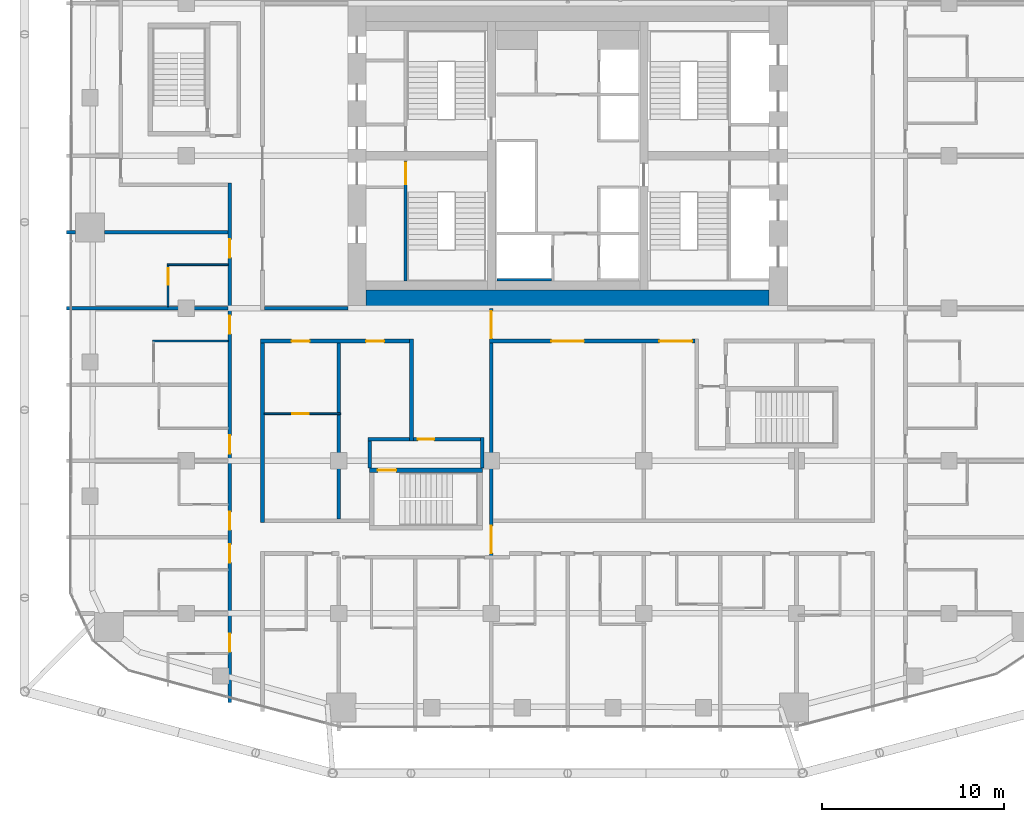
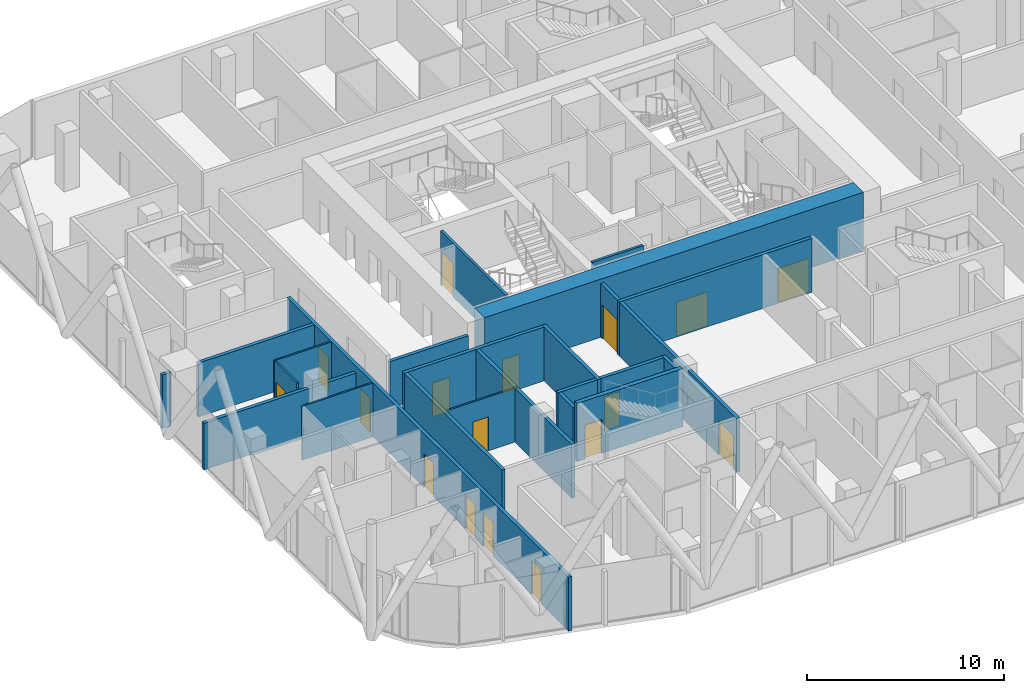
# One storey, part 25 of 33: 23 walls, 17 doors, 17 openings.
"""IFC4 building model written with IfcOpenShell, lengths in metres."""

from ifc_helpers import new_model, si_unit, direction, frame, frame_2d, origin, place, context, subcontext, project, spatial, rectangle, extrude, material, layer, layer_set, type_object, element, fill, save


model = new_model("IFC4")

# Units and contexts
model_context = context("Model", 3, precision=1e-05, world=origin(), true_north=direction((0.0, 1.0)))
body_context = subcontext(model_context, "Body", "Model", "MODEL_VIEW")
ifc_project = project(units=[si_unit("LENGTHUNIT", "METRE"), si_unit("AREAUNIT", "SQUARE_METRE"), si_unit("VOLUMEUNIT", "CUBIC_METRE"), si_unit("PLANEANGLEUNIT", "RADIAN"), si_unit("MASSUNIT", "GRAM", prefix="KILO")], contexts=[model_context])

# Site, building, storey
site_placement = place(None, origin())
site = spatial("IfcSite", under=ifc_project, at=site_placement, CompositionType="ELEMENT")
building_placement = place(site_placement, origin())
building = spatial("IfcBuilding", under=site, at=building_placement, Name="Marenta Gate Hotel Tower", CompositionType="ELEMENT")
storey_placement = place(building_placement, frame((0.0, 0.0, 108.5)))
storey = spatial("IfcBuildingStorey", under=building, at=storey_placement, Name="L23", CompositionType="ELEMENT", Elevation=108.5)

# Wall, openings, doors
ifc_material_1 = material(Name="Concrete blockwork", Category="masonry")
ifc_layer_1 = layer(ifc_material_1, 0.199951171875)
ifc_layer_set_1 = layer_set([ifc_layer_1], Name="Concrete blockwork")
wall_type_1 = type_object("IfcWallType", Name="Compartment wall 200 REI 180", PredefinedType="PARTITIONING", material=ifc_layer_set_1)
wall_1_placement = place(storey_placement, frame((-4.199951171875, -13.800048828125, 0.0), z_axis=(0.0, 0.0, 1.0), x_axis=(0.0, 1.0, 0.0)))
wall_1 = element("IfcWall", 1, at=wall_1_placement, inside=storey, type_object=wall_type_1, Name="L23-PTN-W080", PredefinedType="PARTITIONING", context=body_context, shape_type="SweptSolid", body=[
    extrude(rectangle(XDim=13.800048828125, YDim=0.199951171875, at=frame_2d((6.89990234375, 0.0))), origin(), (0.0, 0.0, 1.0), 3.340087890625),
])
opening_1_placement = place(wall_1_placement, frame((12.14990234375, 0.0, 0.0)))
opening_1 = element("IfcOpeningElement", 2, at=opening_1_placement, cuts=wall_1, Name="Opening G08-FD2", PredefinedType="OPENING", context=body_context, shape_type="SweptSolid", body=[
    extrude(rectangle(XDim=1.5, YDim=2.10009765625, at=frame_2d((0.75, 1.050048828125))), frame((0.0, 0.10009765625, 0.0), z_axis=(0.0, -1.0, 0.0), x_axis=(1.0, 0.0, 0.0)), (0.0, 0.0, 1.0), 0.199951171875),
])
opening_2_placement = place(wall_1_placement, frame((0.324951171875, 0.0, 0.0)))
opening_2 = element("IfcOpeningElement", 3, at=opening_2_placement, cuts=wall_1, Name="Opening G08-FD3", PredefinedType="OPENING", context=body_context, shape_type="SweptSolid", body=[
    extrude(rectangle(XDim=1.5, YDim=2.10009765625, at=frame_2d((0.75, 1.050048828125))), frame((0.0, 0.10009765625, 0.0), z_axis=(0.0, -1.0, 0.0), x_axis=(1.0, 0.0, 0.0)), (0.0, 0.0, 1.0), 0.199951171875),
])
ifc_material_2 = material(Name="Hollow steel door set", Category="steel")
door_type_1 = type_object("IfcDoorType", Name="Compartment fire door 1500x2100 EI 60", OperationType="DOUBLE_DOOR_DOUBLE_SWING", PredefinedType="DOOR", material=ifc_material_2)
door_1_placement = place(opening_1_placement, origin())
door_1 = element("IfcDoor", 4, at=door_1_placement, inside=storey, type_object=door_type_1, Name="L23-PD-FD02", OperationType="DOUBLE_DOOR_DOUBLE_SWING", OverallHeight=2.10009765625, OverallWidth=1.5, PredefinedType="DOOR", context=body_context, shape_type="SweptSolid", body=[
    extrude(rectangle(XDim=1.5, YDim=2.10009765625, at=frame_2d((0.75, 1.050048828125))), frame((0.0, 0.02490234375, 0.0), z_axis=(0.0, -1.0, 0.0), x_axis=(1.0, 0.0, 0.0)), (0.0, 0.0, 1.0), 0.050048828125),
])
fill(opening_1, door_1)
door_2_placement = place(opening_2_placement, origin())
door_2 = element("IfcDoor", 5, at=door_2_placement, inside=storey, type_object=door_type_1, Name="L23-PD-FD03", OperationType="DOUBLE_DOOR_DOUBLE_SWING", OverallHeight=2.10009765625, OverallWidth=1.5, PredefinedType="DOOR", context=body_context, shape_type="SweptSolid", body=[
    extrude(rectangle(XDim=1.5, YDim=2.10009765625, at=frame_2d((0.75, 1.050048828125))), frame((0.0, 0.02490234375, 0.0), z_axis=(0.0, -1.0, 0.0), x_axis=(1.0, 0.0, 0.0)), (0.0, 0.0, 1.0), 0.050048828125),
])
fill(opening_2, door_2)

# Walls
ifc_material_3 = material(Name="Concrete blockwork", Category="masonry")
ifc_layer_2 = layer(ifc_material_3, 0.199951171875)
ifc_layer_set_2 = layer_set([ifc_layer_2], Name="Concrete blockwork")
wall_type_2 = type_object("IfcWallType", Name="Core boundary wall 200 REI 180", PredefinedType="PARTITIONING", material=ifc_layer_set_2)
wall_2_placement = place(storey_placement, frame((-16.699951171875, 0.0, 0.0), z_axis=(0.0, 0.0, 1.0), x_axis=(1.0, 0.0, 0.0)))
element("IfcWall", 6, at=wall_2_placement, inside=storey, type_object=wall_type_2, Name="L23-CP-EW-WS", PredefinedType="PARTITIONING", context=body_context, shape_type="SweptSolid", body=[
    extrude(rectangle(XDim=4.599853515625, YDim=0.199951171875, at=frame_2d((2.2998046875, 0.0))), origin(), (0.0, 0.0, 1.0), 2.889892578125),
])
ifc_material_4 = material(Name="Concrete C40", Category="concrete")
ifc_layer_3 = layer(ifc_material_4, 0.14990234375)
ifc_layer_set_3 = layer_set([ifc_layer_3], Name="Concrete C40")
wall_type_3 = type_object("IfcWallType", Name="Core shaft wall 150 REI 180", PredefinedType="SHEAR", material=ifc_layer_set_3)
wall_3_placement = place(storey_placement, frame((-3.89990234375, 1.574951171875, 0.0), z_axis=(0.0, 0.0, 1.0), x_axis=(1.0, 0.0, 0.0)))
element("IfcWall", 7, at=wall_3_placement, inside=storey, type_object=wall_type_3, Name="L23-SHF-CW-W-ffs", PredefinedType="SHEAR", context=body_context, shape_type="SweptSolid", body=[
    extrude(rectangle(XDim=3.0, YDim=0.14990234375, at=frame_2d((1.5, 0.0))), origin(), (0.0, 0.0, 1.0), 3.60009765625),
])

# Wall, opening, door
ifc_material_5 = material(Name="Concrete C40", Category="concrete")
ifc_layer_4 = layer(ifc_material_5, 0.14990234375)
ifc_layer_set_4 = layer_set([ifc_layer_4], Name="Concrete C40")
wall_type_4 = type_object("IfcWallType", Name="Core stair enclosure wall 150 REI 180", PredefinedType="SHEAR", material=ifc_layer_set_4)
wall_4_placement = place(storey_placement, frame((-8.925048828125, 1.5, 0.0), z_axis=(0.0, 0.0, 1.0), x_axis=(0.0, 1.0, 0.0)))
wall_4 = element("IfcWall", 8, at=wall_4_placement, inside=storey, type_object=wall_type_4, Name="L23-SHF-SW-WS-3", PredefinedType="SHEAR", context=body_context, shape_type="SweptSolid", body=[
    extrude(rectangle(XDim=6.60009765625, YDim=0.14990234375, at=frame_2d((3.300048828125, 0.0))), origin(), (0.0, 0.0, 1.0), 3.340087890625),
])
opening_3_placement = place(wall_4_placement, frame((5.324951171875, 0.0, 0.0)))
opening_3 = element("IfcOpeningElement", 9, at=opening_3_placement, cuts=wall_4, Name="Opening SD-WS", PredefinedType="OPENING", context=body_context, shape_type="SweptSolid", body=[
    extrude(rectangle(XDim=1.199951171875, YDim=2.10009765625, at=frame_2d((0.60009765625, 1.050048828125))), frame((0.0, 0.074951171875, 0.0), z_axis=(0.0, -1.0, 0.0), x_axis=(1.0, 0.0, 0.0)), (0.0, 0.0, 1.0), 0.14990234375),
])
ifc_material_6 = material(Name="Steel", Category="steel")
door_type_2 = type_object("IfcDoorType", Name="Core stair door 1200x2100 FD60", OperationType="SINGLE_SWING_LEFT", PredefinedType="DOOR", material=ifc_material_6)
door_3_placement = place(opening_3_placement, origin())
door_3 = element("IfcDoor", 10, at=door_3_placement, inside=storey, type_object=door_type_2, Name="SD-WS", OperationType="SINGLE_SWING_LEFT", OverallHeight=2.10009765625, OverallWidth=1.199951171875, PredefinedType="DOOR", context=body_context, shape_type="SweptSolid", body=[
    extrude(rectangle(XDim=1.199951171875, YDim=2.10009765625, at=frame_2d((0.60009765625, 1.050048828125))), frame((0.0, 0.02490234375, 0.0), z_axis=(0.0, -1.0, 0.0), x_axis=(1.0, 0.0, 0.0)), (0.0, 0.0, 1.0), 0.050048828125),
])
fill(opening_3, door_3)

# Wall
ifc_material_7 = material(Name="Concrete C70", Category="concrete")
ifc_layer_5 = layer(ifc_material_7, 1.0)
ifc_layer_set_5 = layer_set([ifc_layer_5], Name="Concrete C70")
wall_type_5 = type_object("IfcWallType", Name="Core wall 1000 C70", PredefinedType="SHEAR", material=ifc_layer_set_5)
wall_5_placement = place(storey_placement, frame((-11.10009765625, 0.5, 0.0), z_axis=(0.0, 0.0, 1.0), x_axis=(1.0, 0.0, 0.0)))
element("IfcWall", 11, at=wall_5_placement, inside=storey, type_object=wall_type_5, Name="L23-CORE-S", PredefinedType="SHEAR", context=body_context, shape_type="SweptSolid", body=[
    extrude(rectangle(XDim=22.2001953125, YDim=1.0, at=frame_2d((11.10009765625, 0.0))), origin(), (0.0, 0.0, 1.0), 3.60009765625),
])

# Wall, opening, door
ifc_material_8 = material(Name="Concrete C40", Category="concrete")
ifc_layer_6 = layer(ifc_material_8, 0.25)
ifc_layer_set_6 = layer_set([ifc_layer_6], Name="Concrete C40")
wall_type_6 = type_object("IfcWallType", Name="Remote stair enclosure wall 250 REI 180", PredefinedType="SHEAR", material=ifc_layer_set_6)
wall_6_placement = place(storey_placement, frame((-10.89990234375, -8.925048828125, 0.10009765625), z_axis=(0.0, 0.0, 1.0), x_axis=(1.0, 0.0, 0.0)))
wall_6 = element("IfcWall", 12, at=wall_6_placement, inside=storey, type_object=wall_type_6, Name="L23-RS-Z2-1-W2", PredefinedType="SHEAR", context=body_context, shape_type="SweptSolid", body=[
    extrude(rectangle(XDim=6.199951171875, YDim=0.25, at=frame_2d((3.10009765625, 0.0))), origin(), (0.0, 0.0, 1.0), 3.599853515625),
])
opening_4_placement = place(wall_6_placement, frame((0.449951171875, 0.0, 0.0)))
opening_4 = element("IfcOpeningElement", 13, at=opening_4_placement, cuts=wall_6, Name="Opening VD", PredefinedType="OPENING", context=body_context, shape_type="SweptSolid", body=[
    extrude(rectangle(XDim=1.0, YDim=2.10009765625, at=frame_2d((0.5, 1.050048828125))), frame((0.0, 0.125, 0.0), z_axis=(0.0, -1.0, 0.0), x_axis=(1.0, 0.0, 0.0)), (0.0, 0.0, 1.0), 0.25),
])
ifc_material_9 = material(Name="Steel", Category="steel")
door_type_3 = type_object("IfcDoorType", Name="Stair vestibule door 1000x2100 FD60", OperationType="SINGLE_SWING_LEFT", PredefinedType="DOOR", material=ifc_material_9)
door_4_placement = place(opening_4_placement, origin())
door_4 = element("IfcDoor", 14, at=door_4_placement, inside=storey, type_object=door_type_3, Name="VD", OperationType="SINGLE_SWING_LEFT", OverallHeight=2.10009765625, OverallWidth=1.0, PredefinedType="DOOR", context=body_context, shape_type="SweptSolid", body=[
    extrude(rectangle(XDim=1.0, YDim=2.10009765625, at=frame_2d((0.5, 1.050048828125))), frame((0.0, 0.02490234375, 0.0), z_axis=(0.0, -1.0, 0.0), x_axis=(1.0, 0.0, 0.0)), (0.0, 0.0, 1.0), 0.050048828125),
])
fill(opening_4, door_4)

# Wall, openings, doors
ifc_material_10 = material(Name="Concrete blockwork", Category="masonry")
ifc_layer_7 = layer(ifc_material_10, 0.199951171875)
ifc_layer_set_7 = layer_set([ifc_layer_7], Name="Concrete blockwork")
wall_type_7 = type_object("IfcWallType", Name="Room corridor wall 200 EI 120", PredefinedType="PARTITIONING", material=ifc_layer_set_7)
wall_7_placement = place(storey_placement, frame((-16.89990234375, -1.800048828125, 0.0), z_axis=(0.0, 0.0, 1.0), x_axis=(1.0, 0.0, 0.0)))
wall_7 = element("IfcWall", 15, at=wall_7_placement, inside=storey, type_object=wall_type_7, Name="L23-PTN-W067", PredefinedType="PARTITIONING", context=body_context, shape_type="SweptSolid", body=[
    extrude(rectangle(XDim=8.199951171875, YDim=0.199951171875, at=frame_2d((4.10009765625, 0.0))), origin(), (0.0, 0.0, 1.0), 3.340087890625),
])
opening_5_placement = place(wall_7_placement, frame((1.699951171875, 0.0, 0.0)))
opening_5 = element("IfcOpeningElement", 16, at=opening_5_placement, cuts=wall_7, Name="Opening G08-01", PredefinedType="OPENING", context=body_context, shape_type="SweptSolid", body=[
    extrude(rectangle(XDim=1.0, YDim=2.10009765625, at=frame_2d((0.5, 1.050048828125))), frame((0.0, 0.10009765625, 0.0), z_axis=(0.0, -1.0, 0.0), x_axis=(1.0, 0.0, 0.0)), (0.0, 0.0, 1.0), 0.199951171875),
])
opening_6_placement = place(wall_7_placement, frame((5.800048828125, 0.0, 0.0)))
opening_6 = element("IfcOpeningElement", 17, at=opening_6_placement, cuts=wall_7, Name="Opening G08-03", PredefinedType="OPENING", context=body_context, shape_type="SweptSolid", body=[
    extrude(rectangle(XDim=1.0, YDim=2.10009765625, at=frame_2d((0.5, 1.050048828125))), frame((0.0, 0.10009765625, 0.0), z_axis=(0.0, -1.0, 0.0), x_axis=(1.0, 0.0, 0.0)), (0.0, 0.0, 1.0), 0.199951171875),
])
ifc_material_11 = material(Name="Hollow steel door set", Category="steel")
door_type_4 = type_object("IfcDoorType", Name="Room service door 1000x2100 EI 60", OperationType="NOTDEFINED", PredefinedType="DOOR", material=ifc_material_11)
door_5_placement = place(opening_5_placement, origin())
door_5 = element("IfcDoor", 18, at=door_5_placement, inside=storey, type_object=door_type_4, Name="L23-PD-D001", OperationType="SINGLE_SWING_LEFT", OverallHeight=2.10009765625, OverallWidth=1.0, PredefinedType="DOOR", context=body_context, shape_type="SweptSolid", body=[
    extrude(rectangle(XDim=1.0, YDim=2.10009765625, at=frame_2d((0.5, 1.050048828125))), frame((0.0, 0.02490234375, 0.0), z_axis=(0.0, -1.0, 0.0), x_axis=(1.0, 0.0, 0.0)), (0.0, 0.0, 1.0), 0.050048828125),
])
fill(opening_5, door_5)
door_6_placement = place(opening_6_placement, origin())
door_6 = element("IfcDoor", 19, at=door_6_placement, inside=storey, type_object=door_type_4, Name="L23-PD-D003", OperationType="SINGLE_SWING_LEFT", OverallHeight=2.10009765625, OverallWidth=1.0, PredefinedType="DOOR", context=body_context, shape_type="SweptSolid", body=[
    extrude(rectangle(XDim=1.0, YDim=2.10009765625, at=frame_2d((0.5, 1.050048828125))), frame((0.0, 0.02490234375, 0.0), z_axis=(0.0, -1.0, 0.0), x_axis=(1.0, 0.0, 0.0)), (0.0, 0.0, 1.0), 0.050048828125),
])
fill(opening_6, door_6)

# Wall
wall_8_placement = place(storey_placement, frame((-8.60009765625, -7.300048828125, 0.0), z_axis=(0.0, 0.0, 1.0), x_axis=(0.0, 1.0, 0.0)))
element("IfcWall", 20, at=wall_8_placement, inside=storey, type_object=wall_type_7, Name="L23-PTN-W090", PredefinedType="PARTITIONING", context=body_context, shape_type="SweptSolid", body=[
    extrude(rectangle(XDim=5.60009765625, YDim=0.199951171875, at=frame_2d((2.800048828125, 0.0))), origin(), (0.0, 0.0, 1.0), 3.340087890625),
])

# Wall, openings, doors
ifc_material_12 = material(Name="Gypsum board on steel stud", Category="steel")
ifc_layer_8 = layer(ifc_material_12, 0.199951171875)
ifc_layer_set_8 = layer_set([ifc_layer_8], Name="Gypsum board on steel stud")
wall_type_8 = type_object("IfcWallType", Name="Room corridor wall 200 EI 60", PredefinedType="PARTITIONING", material=ifc_layer_set_8)
wall_9_placement = place(storey_placement, frame((-4.300048828125, -1.800048828125, 0.0), z_axis=(0.0, 0.0, 1.0), x_axis=(1.0, 0.0, 0.0)))
wall_9 = element("IfcWall", 21, at=wall_9_placement, inside=storey, type_object=wall_type_8, Name="L23-PTN-W068", PredefinedType="PARTITIONING", context=body_context, shape_type="SweptSolid", body=[
    extrude(rectangle(XDim=11.300048828125, YDim=0.199951171875, at=frame_2d((5.64990234375, 0.0))), origin(), (0.0, 0.0, 1.0), 3.340087890625),
])
opening_7_placement = place(wall_9_placement, frame((3.39990234375, 0.0, 0.0)))
opening_7 = element("IfcOpeningElement", 22, at=opening_7_placement, cuts=wall_9, Name="Opening G08-04", PredefinedType="OPENING", context=body_context, shape_type="SweptSolid", body=[
    extrude(rectangle(XDim=1.800048828125, YDim=2.10009765625, at=frame_2d((0.89990234375, 1.050048828125))), frame((0.0, 0.10009765625, 0.0), z_axis=(0.0, -1.0, 0.0), x_axis=(1.0, 0.0, 0.0)), (0.0, 0.0, 1.0), 0.199951171875),
])
opening_8_placement = place(wall_9_placement, frame((9.35009765625, 0.0, 0.0)))
opening_8 = element("IfcOpeningElement", 23, at=opening_8_placement, cuts=wall_9, Name="Opening G08-05", PredefinedType="OPENING", context=body_context, shape_type="SweptSolid", body=[
    extrude(rectangle(XDim=1.800048828125, YDim=2.10009765625, at=frame_2d((0.89990234375, 1.050048828125))), frame((0.0, 0.10009765625, 0.0), z_axis=(0.0, -1.0, 0.0), x_axis=(1.0, 0.0, 0.0)), (0.0, 0.0, 1.0), 0.199951171875),
])
ifc_material_13 = material(Name="Timber door leaf", Category="wood")
door_type_5 = type_object("IfcDoorType", Name="Room amenity door 1800x2100 EI 30", OperationType="DOUBLE_DOOR_SINGLE_SWING", PredefinedType="DOOR", material=ifc_material_13)
door_7_placement = place(opening_7_placement, origin())
door_7 = element("IfcDoor", 24, at=door_7_placement, inside=storey, type_object=door_type_5, Name="L23-PD-D004", OperationType="DOUBLE_DOOR_SINGLE_SWING", OverallHeight=2.10009765625, OverallWidth=1.800048828125, PredefinedType="DOOR", context=body_context, shape_type="SweptSolid", body=[
    extrude(rectangle(XDim=1.800048828125, YDim=2.10009765625, at=frame_2d((0.89990234375, 1.050048828125))), frame((0.0, 0.02490234375, 0.0), z_axis=(0.0, -1.0, 0.0), x_axis=(1.0, 0.0, 0.0)), (0.0, 0.0, 1.0), 0.050048828125),
])
fill(opening_7, door_7)
door_8_placement = place(opening_8_placement, origin())
door_8 = element("IfcDoor", 25, at=door_8_placement, inside=storey, type_object=door_type_5, Name="L23-PD-D005", OperationType="DOUBLE_DOOR_SINGLE_SWING", OverallHeight=2.10009765625, OverallWidth=1.800048828125, PredefinedType="DOOR", context=body_context, shape_type="SweptSolid", body=[
    extrude(rectangle(XDim=1.800048828125, YDim=2.10009765625, at=frame_2d((0.89990234375, 1.050048828125))), frame((0.0, 0.02490234375, 0.0), z_axis=(0.0, -1.0, 0.0), x_axis=(1.0, 0.0, 0.0)), (0.0, 0.0, 1.0), 0.050048828125),
])
fill(opening_8, door_8)

# Wall
wall_10_placement = place(storey_placement, frame((-16.800048828125, -11.800048828125, 0.0), z_axis=(0.0, 0.0, 1.0), x_axis=(0.0, 1.0, 0.0)))
element("IfcWall", 26, at=wall_10_placement, inside=storey, type_object=wall_type_8, Name="L23-PTN-W104", PredefinedType="PARTITIONING", context=body_context, shape_type="SweptSolid", body=[
    extrude(rectangle(XDim=9.900146484375, YDim=0.199951171875, at=frame_2d((4.9501953125, 0.0))), origin(), (0.0, 0.0, 1.0), 3.340087890625),
])

# Wall, openings, doors
wall_11_placement = place(storey_placement, frame((-18.60009765625, -21.7080078125, 0.0), z_axis=(0.0, 0.0, 1.0), x_axis=(0.0, 1.0, 0.0)))
wall_11 = element("IfcWall", 27, at=wall_11_placement, inside=storey, type_object=wall_type_8, Name="L23-PTN-W110", PredefinedType="PARTITIONING", context=body_context, shape_type="SweptSolid", body=[
    extrude(rectangle(XDim=28.60791015625, YDim=0.199951171875, at=frame_2d((14.303955078125, 0.0))), origin(), (0.0, 0.0, 1.0), 3.340087890625),
])
opening_9_placement = place(wall_11_placement, frame((2.800048828125, 0.0, 0.0)))
opening_9 = element("IfcOpeningElement", 28, at=opening_9_placement, cuts=wall_11, Name="Opening G08-53", PredefinedType="OPENING", context=body_context, shape_type="SweptSolid", body=[
    extrude(rectangle(XDim=1.0, YDim=2.10009765625, at=frame_2d((0.5, 1.050048828125))), frame((0.0, 0.10009765625, 0.0), z_axis=(0.0, -1.0, 0.0), x_axis=(1.0, 0.0, 0.0)), (0.0, 0.0, 1.0), 0.199951171875),
])
opening_10_placement = place(wall_11_placement, frame((7.7080078125, 0.0, 0.0)))
opening_10 = element("IfcOpeningElement", 29, at=opening_10_placement, cuts=wall_11, Name="Opening G08-55", PredefinedType="OPENING", context=body_context, shape_type="SweptSolid", body=[
    extrude(rectangle(XDim=1.0, YDim=2.10009765625, at=frame_2d((0.5, 1.050048828125))), frame((0.0, 0.10009765625, 0.0), z_axis=(0.0, -1.0, 0.0), x_axis=(1.0, 0.0, 0.0)), (0.0, 0.0, 1.0), 0.199951171875),
])
opening_11_placement = place(wall_11_placement, frame((9.508056640625, 0.0, 0.0)))
opening_11 = element("IfcOpeningElement", 30, at=opening_11_placement, cuts=wall_11, Name="Opening G08-57", PredefinedType="OPENING", context=body_context, shape_type="SweptSolid", body=[
    extrude(rectangle(XDim=1.0, YDim=2.10009765625, at=frame_2d((0.5, 1.050048828125))), frame((0.0, 0.10009765625, 0.0), z_axis=(0.0, -1.0, 0.0), x_axis=(1.0, 0.0, 0.0)), (0.0, 0.0, 1.0), 0.199951171875),
])
opening_12_placement = place(wall_11_placement, frame((13.7080078125, 0.0, 0.0)))
opening_12 = element("IfcOpeningElement", 31, at=opening_12_placement, cuts=wall_11, Name="Opening G08-59", PredefinedType="OPENING", context=body_context, shape_type="SweptSolid", body=[
    extrude(rectangle(XDim=1.0, YDim=2.10009765625, at=frame_2d((0.5, 1.050048828125))), frame((0.0, 0.10009765625, 0.0), z_axis=(0.0, -1.0, 0.0), x_axis=(1.0, 0.0, 0.0)), (0.0, 0.0, 1.0), 0.199951171875),
])
opening_13_placement = place(wall_11_placement, frame((20.30810546875, 0.0, 0.0)))
opening_13 = element("IfcOpeningElement", 32, at=opening_13_placement, cuts=wall_11, Name="Opening G08-61", PredefinedType="OPENING", context=body_context, shape_type="SweptSolid", body=[
    extrude(rectangle(XDim=1.0, YDim=2.10009765625, at=frame_2d((0.5, 1.050048828125))), frame((0.0, 0.10009765625, 0.0), z_axis=(0.0, -1.0, 0.0), x_axis=(1.0, 0.0, 0.0)), (0.0, 0.0, 1.0), 0.199951171875),
])
opening_14_placement = place(wall_11_placement, frame((24.508056640625, 0.0, 0.0)))
opening_14 = element("IfcOpeningElement", 33, at=opening_14_placement, cuts=wall_11, Name="Opening G08-63", PredefinedType="OPENING", context=body_context, shape_type="SweptSolid", body=[
    extrude(rectangle(XDim=1.0, YDim=2.10009765625, at=frame_2d((0.5, 1.050048828125))), frame((0.0, 0.10009765625, 0.0), z_axis=(0.0, -1.0, 0.0), x_axis=(1.0, 0.0, 0.0)), (0.0, 0.0, 1.0), 0.199951171875),
])
ifc_material_14 = material(Name="Timber door leaf", Category="wood")
door_type_6 = type_object("IfcDoorType", Name="Guest room door 1000x2100 EI 30", OperationType="NOTDEFINED", PredefinedType="DOOR", material=ifc_material_14)
door_9_placement = place(opening_9_placement, origin())
door_9 = element("IfcDoor", 34, at=door_9_placement, inside=storey, type_object=door_type_6, Name="L23-PD-D053", OperationType="SINGLE_SWING_LEFT", OverallHeight=2.10009765625, OverallWidth=1.0, PredefinedType="DOOR", context=body_context, shape_type="SweptSolid", body=[
    extrude(rectangle(XDim=1.0, YDim=2.10009765625, at=frame_2d((0.5, 1.050048828125))), frame((0.0, 0.02490234375, 0.0), z_axis=(0.0, -1.0, 0.0), x_axis=(1.0, 0.0, 0.0)), (0.0, 0.0, 1.0), 0.050048828125),
])
fill(opening_9, door_9)
door_10_placement = place(opening_10_placement, origin())
door_10 = element("IfcDoor", 35, at=door_10_placement, inside=storey, type_object=door_type_6, Name="L23-PD-D055", OperationType="SINGLE_SWING_RIGHT", OverallHeight=2.10009765625, OverallWidth=1.0, PredefinedType="DOOR", context=body_context, shape_type="SweptSolid", body=[
    extrude(rectangle(XDim=1.0, YDim=2.10009765625, at=frame_2d((0.5, 1.050048828125))), frame((0.0, 0.02490234375, 0.0), z_axis=(0.0, -1.0, 0.0), x_axis=(1.0, 0.0, 0.0)), (0.0, 0.0, 1.0), 0.050048828125),
])
fill(opening_10, door_10)
door_11_placement = place(opening_11_placement, origin())
door_11 = element("IfcDoor", 36, at=door_11_placement, inside=storey, type_object=door_type_6, Name="L23-PD-D057", OperationType="SINGLE_SWING_RIGHT", OverallHeight=2.10009765625, OverallWidth=1.0, PredefinedType="DOOR", context=body_context, shape_type="SweptSolid", body=[
    extrude(rectangle(XDim=1.0, YDim=2.10009765625, at=frame_2d((0.5, 1.050048828125))), frame((0.0, 0.02490234375, 0.0), z_axis=(0.0, -1.0, 0.0), x_axis=(1.0, 0.0, 0.0)), (0.0, 0.0, 1.0), 0.050048828125),
])
fill(opening_11, door_11)
door_12_placement = place(opening_12_placement, origin())
door_12 = element("IfcDoor", 37, at=door_12_placement, inside=storey, type_object=door_type_6, Name="L23-PD-D059", OperationType="SINGLE_SWING_RIGHT", OverallHeight=2.10009765625, OverallWidth=1.0, PredefinedType="DOOR", context=body_context, shape_type="SweptSolid", body=[
    extrude(rectangle(XDim=1.0, YDim=2.10009765625, at=frame_2d((0.5, 1.050048828125))), frame((0.0, 0.02490234375, 0.0), z_axis=(0.0, -1.0, 0.0), x_axis=(1.0, 0.0, 0.0)), (0.0, 0.0, 1.0), 0.050048828125),
])
fill(opening_12, door_12)
door_13_placement = place(opening_13_placement, origin())
door_13 = element("IfcDoor", 38, at=door_13_placement, inside=storey, type_object=door_type_6, Name="L23-PD-D061", OperationType="SINGLE_SWING_RIGHT", OverallHeight=2.10009765625, OverallWidth=1.0, PredefinedType="DOOR", context=body_context, shape_type="SweptSolid", body=[
    extrude(rectangle(XDim=1.0, YDim=2.10009765625, at=frame_2d((0.5, 1.050048828125))), frame((0.0, 0.02490234375, 0.0), z_axis=(0.0, -1.0, 0.0), x_axis=(1.0, 0.0, 0.0)), (0.0, 0.0, 1.0), 0.050048828125),
])
fill(opening_13, door_13)
door_14_placement = place(opening_14_placement, origin())
door_14 = element("IfcDoor", 39, at=door_14_placement, inside=storey, type_object=door_type_6, Name="L23-PD-D063", OperationType="SINGLE_SWING_RIGHT", OverallHeight=2.10009765625, OverallWidth=1.0, PredefinedType="DOOR", context=body_context, shape_type="SweptSolid", body=[
    extrude(rectangle(XDim=1.0, YDim=2.10009765625, at=frame_2d((0.5, 1.050048828125))), frame((0.0, 0.02490234375, 0.0), z_axis=(0.0, -1.0, 0.0), x_axis=(1.0, 0.0, 0.0)), (0.0, 0.0, 1.0), 0.050048828125),
])
fill(opening_14, door_14)

# Wall, opening, door
ifc_material_15 = material(Name="Concrete blockwork", Category="masonry")
ifc_layer_9 = layer(ifc_material_15, 0.199951171875)
ifc_layer_set_9 = layer_set([ifc_layer_9], Name="Concrete blockwork")
wall_type_9 = type_object("IfcWallType", Name="Room corridor wall 200 REI 180", PredefinedType="PARTITIONING", material=ifc_layer_set_9)
wall_12_placement = place(storey_placement, frame((-8.5, -7.199951171875, 0.0), z_axis=(0.0, 0.0, 1.0), x_axis=(1.0, 0.0, 0.0)))
wall_12 = element("IfcWall", 40, at=wall_12_placement, inside=storey, type_object=wall_type_9, Name="L23-PTN-W050", PredefinedType="PARTITIONING", context=body_context, shape_type="SweptSolid", body=[
    extrude(rectangle(XDim=3.699951171875, YDim=0.199951171875, at=frame_2d((1.85009765625, 0.0))), origin(), (0.0, 0.0, 1.0), 3.340087890625),
])
opening_15_placement = place(wall_12_placement, frame((0.25, 0.0, 0.0)))
opening_15 = element("IfcOpeningElement", 41, at=opening_15_placement, cuts=wall_12, Name="Opening G08-67", PredefinedType="OPENING", context=body_context, shape_type="SweptSolid", body=[
    extrude(rectangle(XDim=0.89990234375, YDim=2.10009765625, at=frame_2d((0.449951171875, 1.050048828125))), frame((0.0, 0.10009765625, 0.0), z_axis=(0.0, -1.0, 0.0), x_axis=(1.0, 0.0, 0.0)), (0.0, 0.0, 1.0), 0.199951171875),
])
ifc_material_16 = material(Name="Hollow steel door set", Category="steel")
door_type_7 = type_object("IfcDoorType", Name="Stair vestibule door 900x2100 EI 60", OperationType="NOTDEFINED", PredefinedType="DOOR", material=ifc_material_16)
door_15_placement = place(opening_15_placement, origin())
door_15 = element("IfcDoor", 42, at=door_15_placement, inside=storey, type_object=door_type_7, Name="L23-PD-D067", OperationType="SINGLE_SWING_RIGHT", OverallHeight=2.10009765625, OverallWidth=0.89990234375, PredefinedType="DOOR", context=body_context, shape_type="SweptSolid", body=[
    extrude(rectangle(XDim=0.89990234375, YDim=2.10009765625, at=frame_2d((0.449951171875, 1.050048828125))), frame((0.0, 0.02490234375, 0.0), z_axis=(0.0, -1.0, 0.0), x_axis=(1.0, 0.0, 0.0)), (0.0, 0.0, 1.0), 0.050048828125),
])
fill(opening_15, door_15)

# Wall
wall_13_placement = place(storey_placement, frame((-4.699951171875, -8.800048828125, 0.0), z_axis=(0.0, 0.0, 1.0), x_axis=(0.0, 1.0, 0.0)))
element("IfcWall", 43, at=wall_13_placement, inside=storey, type_object=wall_type_9, Name="L23-PTN-W082", PredefinedType="PARTITIONING", context=body_context, shape_type="SweptSolid", body=[
    extrude(rectangle(XDim=1.699951171875, YDim=0.199951171875, at=frame_2d((0.85009765625, 0.0))), origin(), (0.0, 0.0, 1.0), 3.340087890625),
])

# Wall, opening, door
ifc_material_17 = material(Name="Gypsum board on steel stud", Category="steel")
ifc_layer_10 = layer(ifc_material_17, 0.10009765625)
ifc_layer_set_10 = layer_set([ifc_layer_10], Name="Gypsum board on steel stud")
wall_type_10 = type_object("IfcWallType", Name="Room partition 100", PredefinedType="PARTITIONING", material=ifc_layer_set_10)
wall_14_placement = place(storey_placement, frame((-16.699951171875, -5.800048828125, 0.0), z_axis=(0.0, 0.0, 1.0), x_axis=(1.0, 0.0, 0.0)))
wall_14 = element("IfcWall", 44, at=wall_14_placement, inside=storey, type_object=wall_type_10, Name="L23-PTN-W056", PredefinedType="PARTITIONING", context=body_context, shape_type="SweptSolid", body=[
    extrude(rectangle(XDim=4.199951171875, YDim=0.10009765625, at=frame_2d((2.10009765625, 0.0))), origin(), (0.0, 0.0, 1.0), 3.340087890625),
])
opening_16_placement = place(wall_14_placement, frame((1.550048828125, 0.0, 0.0)))
opening_16 = element("IfcOpeningElement", 45, at=opening_16_placement, cuts=wall_14, Name="Opening G08-02", PredefinedType="OPENING", context=body_context, shape_type="SweptSolid", body=[
    extrude(rectangle(XDim=0.89990234375, YDim=2.10009765625, at=frame_2d((0.449951171875, 1.050048828125))), frame((0.0, 0.050048828125, 0.0), z_axis=(0.0, -1.0, 0.0), x_axis=(1.0, 0.0, 0.0)), (0.0, 0.0, 1.0), 0.10009765625),
])
ifc_material_18 = material(Name="Timber door leaf", Category="wood")
door_type_8 = type_object("IfcDoorType", Name="Room inner door 900x2100", OperationType="NOTDEFINED", PredefinedType="DOOR", material=ifc_material_18)
door_16_placement = place(opening_16_placement, origin())
door_16 = element("IfcDoor", 46, at=door_16_placement, inside=storey, type_object=door_type_8, Name="L23-PD-D002", OperationType="SINGLE_SWING_RIGHT", OverallHeight=2.10009765625, OverallWidth=0.89990234375, PredefinedType="DOOR", context=body_context, shape_type="SweptSolid", body=[
    extrude(rectangle(XDim=0.89990234375, YDim=2.10009765625, at=frame_2d((0.449951171875, 1.050048828125))), frame((0.0, 0.02490234375, 0.0), z_axis=(0.0, -1.0, 0.0), x_axis=(1.0, 0.0, 0.0)), (0.0, 0.0, 1.0), 0.050048828125),
])
fill(opening_16, door_16)

# Walls
wall_15_placement = place(storey_placement, frame((-22.85009765625, -1.800048828125, 0.0), z_axis=(0.0, 0.0, 1.0), x_axis=(1.0, 0.0, 0.0)))
element("IfcWall", 47, at=wall_15_placement, inside=storey, type_object=wall_type_10, Name="L23-PTN-W065", PredefinedType="PARTITIONING", context=body_context, shape_type="SweptSolid", body=[
    extrude(rectangle(XDim=4.150146484375, YDim=0.10009765625, at=frame_2d((2.0751953125, 0.0))), origin(), (0.0, 0.0, 1.0), 3.340087890625),
])
wall_16_placement = place(storey_placement, frame((-22.050048828125, 2.39990234375, 0.0), z_axis=(0.0, 0.0, 1.0), x_axis=(1.0, 0.0, 0.0)))
element("IfcWall", 48, at=wall_16_placement, inside=storey, type_object=wall_type_10, Name="L23-PTN-W077", PredefinedType="PARTITIONING", context=body_context, shape_type="SweptSolid", body=[
    extrude(rectangle(XDim=3.35009765625, YDim=0.10009765625, at=frame_2d((1.675048828125, 0.0))), origin(), (0.0, 0.0, 1.0), 3.340087890625),
])

# Wall, opening, door
wall_17_placement = place(storey_placement, frame((-22.0, 0.10009765625, 0.0), z_axis=(0.0, 0.0, 1.0), x_axis=(0.0, 1.0, 0.0)))
wall_17 = element("IfcWall", 49, at=wall_17_placement, inside=storey, type_object=wall_type_10, Name="L23-PTN-W120", PredefinedType="PARTITIONING", context=body_context, shape_type="SweptSolid", body=[
    extrude(rectangle(XDim=2.25, YDim=0.10009765625, at=frame_2d((1.125, 0.0))), origin(), (0.0, 0.0, 1.0), 3.340087890625),
])
opening_17_placement = place(wall_17_placement, frame((1.199951171875, 0.0, 0.0)))
opening_17 = element("IfcOpeningElement", 50, at=opening_17_placement, cuts=wall_17, Name="Opening G08-64", PredefinedType="OPENING", context=body_context, shape_type="SweptSolid", body=[
    extrude(rectangle(XDim=0.89990234375, YDim=2.10009765625, at=frame_2d((0.449951171875, 1.050048828125))), frame((0.0, 0.050048828125, 0.0), z_axis=(0.0, -1.0, 0.0), x_axis=(1.0, 0.0, 0.0)), (0.0, 0.0, 1.0), 0.10009765625),
])
ifc_material_19 = material(Name="Timber door leaf", Category="wood")
door_type_9 = type_object("IfcDoorType", Name="Guest bathroom door 900x2100", OperationType="NOTDEFINED", PredefinedType="DOOR", material=ifc_material_19)
door_17_placement = place(opening_17_placement, origin())
door_17 = element("IfcDoor", 51, at=door_17_placement, inside=storey, type_object=door_type_9, Name="L23-PD-D064", OperationType="SINGLE_SWING_LEFT", OverallHeight=2.10009765625, OverallWidth=0.89990234375, PredefinedType="DOOR", context=body_context, shape_type="SweptSolid", body=[
    extrude(rectangle(XDim=0.89990234375, YDim=2.10009765625, at=frame_2d((0.449951171875, 1.050048828125))), frame((0.0, 0.02490234375, 0.0), z_axis=(0.0, -1.0, 0.0), x_axis=(1.0, 0.0, 0.0)), (0.0, 0.0, 1.0), 0.050048828125),
])
fill(opening_17, door_17)

# Walls
ifc_material_20 = material(Name="Concrete blockwork", Category="masonry")
ifc_layer_11 = layer(ifc_material_20, 0.199951171875)
ifc_layer_set_11 = layer_set([ifc_layer_11], Name="Concrete blockwork")
wall_type_11 = type_object("IfcWallType", Name="Room party wall 200 EI 120", PredefinedType="PARTITIONING", material=ifc_layer_set_11)
wall_18_placement = place(storey_placement, frame((-12.60009765625, -11.60009765625, 0.0), z_axis=(0.0, 0.0, 1.0), x_axis=(0.0, 1.0, 0.0)))
element("IfcWall", 52, at=wall_18_placement, inside=storey, type_object=wall_type_11, Name="L23-PTN-W097", PredefinedType="PARTITIONING", context=body_context, shape_type="SweptSolid", body=[
    extrude(rectangle(XDim=9.7001953125, YDim=0.199951171875, at=frame_2d((4.85009765625, 0.0))), origin(), (0.0, 0.0, 1.0), 3.340087890625),
])
ifc_material_21 = material(Name="Gypsum board on steel stud", Category="steel")
ifc_layer_12 = layer(ifc_material_21, 0.199951171875)
ifc_layer_set_12 = layer_set([ifc_layer_12], Name="Gypsum board on steel stud")
wall_type_12 = type_object("IfcWallType", Name="Room party wall 200 EI 60", PredefinedType="PARTITIONING", material=ifc_layer_set_12)
wall_19_placement = place(storey_placement, frame((-27.60009765625, 0.0, 0.0), z_axis=(0.0, 0.0, 1.0), x_axis=(1.0, 0.0, 0.0)))
element("IfcWall", 53, at=wall_19_placement, inside=storey, type_object=wall_type_12, Name="L23-PTN-W073", PredefinedType="PARTITIONING", context=body_context, shape_type="SweptSolid", body=[
    extrude(rectangle(XDim=8.900146484375, YDim=0.199951171875, at=frame_2d((4.4501953125, 0.0))), origin(), (0.0, 0.0, 1.0), 2.889892578125),
])
wall_20_placement = place(storey_placement, frame((-27.60009765625, 4.199951171875, 0.0), z_axis=(0.0, 0.0, 1.0), x_axis=(1.0, 0.0, 0.0)))
element("IfcWall", 54, at=wall_20_placement, inside=storey, type_object=wall_type_12, Name="L23-PTN-W081", PredefinedType="PARTITIONING", context=body_context, shape_type="SweptSolid", body=[
    extrude(rectangle(XDim=0.5, YDim=0.199951171875, at=frame_2d((0.25, 0.0))), origin(), (0.0, 0.0, 1.0), 3.340087890625),
])
wall_21_placement = place(storey_placement, frame((-25.5, 4.199951171875, 0.0), z_axis=(0.0, 0.0, 1.0), x_axis=(1.0, 0.0, 0.0)))
element("IfcWall", 55, at=wall_21_placement, inside=storey, type_object=wall_type_12, Name="L23-PTN-W133", PredefinedType="PARTITIONING", context=body_context, shape_type="SweptSolid", body=[
    extrude(rectangle(XDim=6.800048828125, YDim=0.199951171875, at=frame_2d((3.39990234375, 0.0))), origin(), (0.0, 0.0, 1.0), 3.340087890625),
])
ifc_material_22 = material(Name="Concrete blockwork", Category="masonry")
ifc_layer_13 = layer(ifc_material_22, 0.199951171875)
ifc_layer_set_13 = layer_set([ifc_layer_13], Name="Concrete blockwork")
wall_type_13 = type_object("IfcWallType", Name="Room party wall 200 REI 180", PredefinedType="PARTITIONING", material=ifc_layer_set_13)
wall_22_placement = place(storey_placement, frame((-11.0, -7.199951171875, 0.0), z_axis=(0.0, 0.0, 1.0), x_axis=(1.0, 0.0, 0.0)))
element("IfcWall", 56, at=wall_22_placement, inside=storey, type_object=wall_type_13, Name="L23-PTN-W049", PredefinedType="PARTITIONING", context=body_context, shape_type="SweptSolid", body=[
    extrude(rectangle(XDim=2.300048828125, YDim=0.199951171875, at=frame_2d((1.14990234375, 0.0))), origin(), (0.0, 0.0, 1.0), 3.340087890625),
])
wall_23_placement = place(storey_placement, frame((-10.89990234375, -8.800048828125, 0.0), z_axis=(0.0, 0.0, 1.0), x_axis=(0.0, 1.0, 0.0)))
element("IfcWall", 57, at=wall_23_placement, inside=storey, type_object=wall_type_13, Name="L23-PTN-W095", PredefinedType="PARTITIONING", context=body_context, shape_type="SweptSolid", body=[
    extrude(rectangle(XDim=1.5, YDim=0.199951171875, at=frame_2d((0.75, 0.0))), origin(), (0.0, 0.0, 1.0), 3.340087890625),
])

save(model, "model.ifc")
